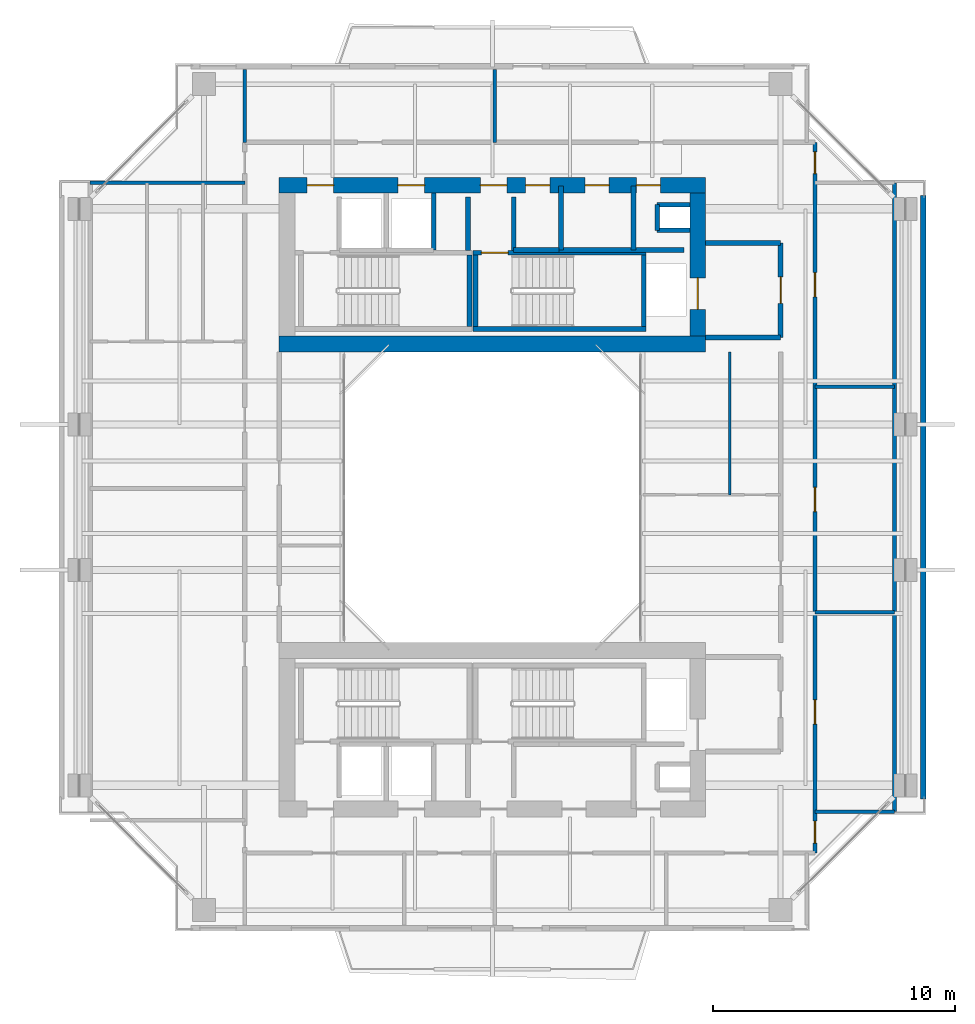
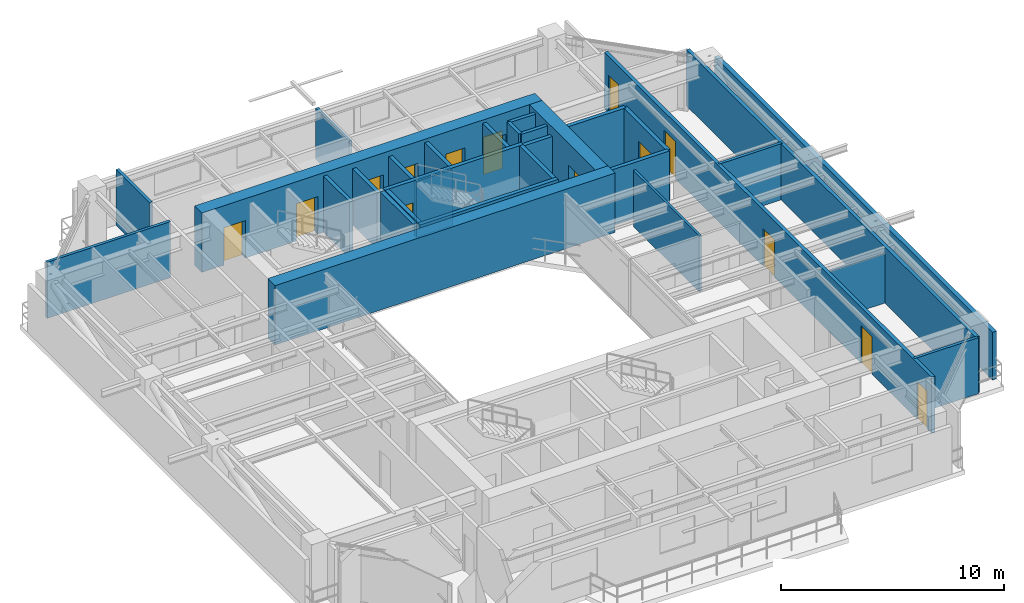
# One storey, part 10 of 14: 31 walls, 14 doors, 14 openings.
"""IFC4 building model written with IfcOpenShell, lengths in metres."""

from ifc_helpers import new_model, si_unit, direction, frame, frame_2d, origin, place, context, subcontext, project, spatial, rectangle, extrude, source, transform, mapped, material, layer, layer_set, type_object, element, fill, save


model = new_model("IFC4")

# Units and contexts
model_context = context("Model", 3, precision=1e-05, world=origin(), true_north=direction((0.0, 1.0)))
body_context = subcontext(model_context, "Body", "Model", "MODEL_VIEW")
ifc_project = project(units=[si_unit("LENGTHUNIT", "METRE"), si_unit("AREAUNIT", "SQUARE_METRE"), si_unit("VOLUMEUNIT", "CUBIC_METRE"), si_unit("PLANEANGLEUNIT", "RADIAN"), si_unit("MASSUNIT", "GRAM", prefix="KILO"), si_unit("THERMODYNAMICTEMPERATUREUNIT", "KELVIN"), si_unit("POWERUNIT", "WATT")], contexts=[model_context])

# Site, building, storey
site_placement = place(None, origin())
site = spatial("IfcSite", under=ifc_project, at=site_placement, CompositionType="ELEMENT")
building_placement = place(site_placement, origin())
building = spatial("IfcBuilding", under=site, at=building_placement, Name="Qiaomeng Ring Towers", CompositionType="ELEMENT")
storey_placement = place(building_placement, frame((0.0, 0.0, 176.25)))
storey = spatial("IfcBuildingStorey", under=building, at=storey_placement, Name="L51", CompositionType="ELEMENT", Elevation=176.25)

# Walls
ifc_material_1 = material(Name="Precast concrete C40", Category="concrete")
ifc_layer_1 = layer(ifc_material_1, 0.219970703125, Name="Precast concrete C40")
ifc_layer_set_1 = layer_set([ifc_layer_1], Name="Precast concrete C40")
wall_type_1 = type_object("IfcWallType", Name="ARC-WL-EW2", PredefinedType="STANDARD", material=ifc_layer_set_1)
wall_1_placement = place(storey_placement, frame((36.7900390625, 10.550048828125, 0.0), z_axis=(0.0, 0.0, 1.0), x_axis=(0.0, 1.0, 0.0)))
element("IfcWall", 1, at=wall_1_placement, inside=storey, type_object=wall_type_1, Name="L51 Tower 1 E Exterior Wall", PredefinedType="STANDARD", context=body_context, shape_type="SweptSolid", body=[
    extrude(rectangle(XDim=24.89990234375, YDim=0.219970703125, at=frame_2d((12.449951171875, 0.0))), origin(), (0.0, 0.0, 1.0), 2.610107421875),
])
ifc_material_2 = material(Name="Autoclaved aerated concrete block", Category="concrete")
ifc_layer_2 = layer(ifc_material_2, 0.199951171875, Name="Autoclaved aerated concrete block")
ifc_layer_set_2 = layer_set([ifc_layer_2], Name="Autoclaved aerated concrete block")
wall_type_2 = type_object("IfcWallType", Name="ARC-WL-PW1", PredefinedType="PARTITIONING", material=ifc_layer_set_2)
for number, where, z_axis, x_axis, name in (
    (2, (27.800048828125, 29.60009765625, 0.0), (0.0, 0.0, 1.0), (1.0, 0.0, 0.0), "L51 Interior Wall PW1"),
    (3, (27.800048828125, 33.5, 0.0), (0.0, 0.0, 1.0), (1.0, 0.0, 0.0), "L51 Interior Wall PW1"),
):
    element("IfcWall", number, at=place(storey_placement, frame(where, z_axis=z_axis, x_axis=x_axis)), inside=storey, type_object=wall_type_2, Name=name, PredefinedType="PARTITIONING", context=body_context, shape_type="SweptSolid", body=[
        extrude(rectangle(XDim=3.099853515625, YDim=0.199951171875, at=frame_2d((1.5498046875, 0.0))), origin(), (0.0, 0.0, 1.0), 3.070068359375),
    ])

# Wall, opening, door
wall_2_placement = place(storey_placement, frame((30.89990234375, 29.60009765625, 0.0), z_axis=(0.0, 0.0, 1.0), x_axis=(0.0, 1.0, 0.0)))
wall_2 = element("IfcWall", 4, at=wall_2_placement, inside=storey, type_object=wall_type_2, Name="L51 Interior Wall PW1", PredefinedType="PARTITIONING", context=body_context, shape_type="SweptSolid", body=[
    extrude(rectangle(XDim=3.89990234375, YDim=0.199951171875, at=frame_2d((1.949951171875, 0.0))), origin(), (0.0, 0.0, 1.0), 3.070068359375),
])
opening_1_placement = place(wall_2_placement, frame((1.39990234375, 0.0, 0.0)))
opening_1 = element("IfcOpeningElement", 5, at=opening_1_placement, cuts=wall_2, Name="Opening FD3", PredefinedType="OPENING", context=body_context, shape_type="SweptSolid", body=[
    extrude(rectangle(XDim=1.10009765625, YDim=2.050048828125, at=frame_2d((0.550048828125, 1.02490234375))), frame((0.0, 0.10986328125, 0.0), z_axis=(0.0, -1.0, 0.0), x_axis=(1.0, 0.0, 0.0)), (0.0, 0.0, 1.0), 0.219970703125),
])
ifc_material_3 = material(Name="Galvanised steel", Category="steel")
door_type_1 = type_object("IfcDoorType", Name="ARC-DR-FD3", OperationType="NOTDEFINED", PredefinedType="DOOR", material=ifc_material_3)
shared_shape_1 = source(origin(), body_context, "Body", "SweptSolid", [
    extrude(rectangle(XDim=1.10009765625, YDim=2.050048828125, at=frame_2d((0.550048828125, 1.02490234375))), frame((0.0, 0.02490234375, 0.0), z_axis=(0.0, -1.0, 0.0), x_axis=(1.0, 0.0, 0.0)), (0.0, 0.0, 1.0), 0.050048828125),
])
door_1_placement = place(opening_1_placement, origin())
door_1 = element("IfcDoor", 6, at=door_1_placement, inside=storey, type_object=door_type_1, Name="L51 North FF Lobby Door", OperationType="SINGLE_SWING_LEFT", OverallHeight=2.050048828125, OverallWidth=1.10009765625, PredefinedType="DOOR", context=body_context, shape_type="MappedRepresentation", body=[
    mapped(shared_shape_1, transform((0.0, 0.0, 0.0), x_axis=(1.0, 0.0, 0.0), y_axis=(0.0, 1.0, 0.0), z_axis=(0.0, 0.0, 1.0), scale=1.0)),
])
fill(opening_1, door_1)

# Walls
for number, where, z_axis, x_axis, name in (
    (7, (18.0, 33.18994140625, 0.0), (0.0, 0.0, 1.0), (0.0, 1.0, 0.0), "L51 Interior Wall PW1"),
    (8, (19.8798828125, 33.18994140625, 0.0), (0.0, 0.0, 1.0), (0.0, 1.0, 0.0), "L51 Interior Wall PW1"),
):
    element("IfcWall", number, at=place(storey_placement, frame(where, z_axis=z_axis, x_axis=x_axis)), inside=storey, type_object=wall_type_2, Name=name, PredefinedType="PARTITIONING", context=body_context, shape_type="SweptSolid", body=[
        extrude(rectangle(XDim=2.2099609375, YDim=0.199951171875, at=frame_2d((1.10498046875, 0.0))), origin(), (0.0, 0.0, 1.0), 3.070068359375),
    ])
wall_3_placement = place(storey_placement, frame((24.820068359375, 33.199951171875, 0.0), z_axis=(0.0, 0.0, 1.0), x_axis=(0.0, 1.0, 0.0)))
element("IfcWall", 9, at=wall_3_placement, inside=storey, type_object=wall_type_2, Name="L51 Interior Wall PW1", PredefinedType="PARTITIONING", context=body_context, shape_type="SweptSolid", body=[
    extrude(rectangle(XDim=2.650146484375, YDim=0.199951171875, at=frame_2d((1.3251953125, 0.0))), origin(), (0.0, 0.0, 1.0), 3.070068359375),
])
wall_4_placement = place(storey_placement, frame((19.8798828125, 33.199951171875, 0.0), z_axis=(0.0, 0.0, 1.0), x_axis=(1.0, 0.0, 0.0)))
element("IfcWall", 10, at=wall_4_placement, inside=storey, type_object=wall_type_2, Name="L51 Interior Wall PW1", PredefinedType="PARTITIONING", context=body_context, shape_type="SweptSolid", body=[
    extrude(rectangle(XDim=1.8701171875, YDim=0.199951171875, at=frame_2d((0.93505859375, 0.0))), origin(), (0.0, 0.0, 1.0), 3.070068359375),
])
wall_5_placement = place(storey_placement, frame((21.830078125, 33.199951171875, 0.0), z_axis=(0.0, 0.0, 1.0), x_axis=(0.0, 1.0, 0.0)))
element("IfcWall", 11, at=wall_5_placement, inside=storey, type_object=wall_type_2, Name="L51 Interior Wall PW1", PredefinedType="PARTITIONING", context=body_context, shape_type="SweptSolid", body=[
    extrude(rectangle(XDim=2.650146484375, YDim=0.199951171875, at=frame_2d((1.3251953125, 0.0))), origin(), (0.0, 0.0, 1.0), 3.070068359375),
])
wall_6_placement = place(storey_placement, frame((21.75, 33.199951171875, 0.0), z_axis=(0.0, 0.0, 1.0), x_axis=(1.0, 0.0, 0.0)))
element("IfcWall", 12, at=wall_6_placement, inside=storey, type_object=wall_type_2, Name="L51 Interior Wall PW1", PredefinedType="PARTITIONING", context=body_context, shape_type="SweptSolid", body=[
    extrude(rectangle(XDim=5.169921875, YDim=0.199951171875, at=frame_2d((2.5849609375, 0.0))), origin(), (0.0, 0.0, 1.0), 3.070068359375),
])
ifc_layer_3 = layer(ifc_material_2, 0.179931640625, Name="Autoclaved aerated concrete block")
ifc_layer_set_3 = layer_set([ifc_layer_3], Name="Autoclaved aerated concrete block")
wall_type_3 = type_object("IfcWallType", Name="ARC-WL-PW2", PredefinedType="PARTITIONING", material=ifc_layer_set_3)
wall_7_placement = place(storey_placement, frame((35.60009765625, 10.02001953125, 0.0), z_axis=(0.0, 0.0, 1.0), x_axis=(0.0, 1.0, 0.0)))
element("IfcWall", 13, at=wall_7_placement, inside=storey, type_object=wall_type_3, Name="L51 Interior Wall PW2", PredefinedType="PARTITIONING", context=body_context, shape_type="SweptSolid", body=[
    extrude(rectangle(XDim=25.9599609375, YDim=0.179931640625, at=frame_2d((12.97998046875, 0.0))), origin(), (0.0, 0.0, 1.0), 3.070068359375),
])

# Wall, openings, doors
wall_8_placement = place(storey_placement, frame((32.320068359375, 8.31005859375, 0.0), z_axis=(0.0, 0.0, 1.0), x_axis=(0.0, 1.0, 0.0)))
wall_8 = element("IfcWall", 14, at=wall_8_placement, inside=storey, type_object=wall_type_3, Name="L51 Interior Wall PW2", PredefinedType="PARTITIONING", context=body_context, shape_type="SweptSolid", body=[
    extrude(rectangle(XDim=29.33984375, YDim=0.179931640625, at=frame_2d((14.669921875, 0.0))), origin(), (0.0, 0.0, 1.0), 3.070068359375),
])
opening_2_placement = place(wall_8_placement, frame((28.044921875, 0.0, 0.0)))
opening_2 = element("IfcOpeningElement", 15, at=opening_2_placement, cuts=wall_8, Name="Opening ID1", PredefinedType="OPENING", context=body_context, shape_type="SweptSolid", body=[
    extrude(rectangle(XDim=0.89990234375, YDim=2.050048828125, at=frame_2d((0.449951171875, 1.02490234375))), frame((0.0, 0.099853515625, 0.0), z_axis=(0.0, -1.0, 0.0), x_axis=(1.0, 0.0, 0.0)), (0.0, 0.0, 1.0), 0.199951171875),
])
opening_3_placement = place(wall_8_placement, frame((0.4150390625, 0.0, 0.0)))
opening_3 = element("IfcOpeningElement", 16, at=opening_3_placement, cuts=wall_8, Name="Opening ID1", PredefinedType="OPENING", context=body_context, shape_type="SweptSolid", body=[
    extrude(rectangle(XDim=0.89990234375, YDim=2.050048828125, at=frame_2d((0.449951171875, 1.02490234375))), frame((0.0, 0.099853515625, 0.0), z_axis=(0.0, -1.0, 0.0), x_axis=(1.0, 0.0, 0.0)), (0.0, 0.0, 1.0), 0.199951171875),
])
opening_4_placement = place(wall_8_placement, frame((5.324951171875, 0.0, 0.0)))
opening_4 = element("IfcOpeningElement", 17, at=opening_4_placement, cuts=wall_8, Name="Opening FD4", PredefinedType="OPENING", context=body_context, shape_type="SweptSolid", body=[
    extrude(rectangle(XDim=1.0, YDim=2.050048828125, at=frame_2d((0.5, 1.02490234375))), frame((0.0, 0.099853515625, 0.0), z_axis=(0.0, -1.0, 0.0), x_axis=(1.0, 0.0, 0.0)), (0.0, 0.0, 1.0), 0.199951171875),
])
opening_5_placement = place(wall_8_placement, frame((14.094970703125, 0.0, 0.0)))
opening_5 = element("IfcOpeningElement", 18, at=opening_5_placement, cuts=wall_8, Name="Opening FD4", PredefinedType="OPENING", context=body_context, shape_type="SweptSolid", body=[
    extrude(rectangle(XDim=1.0, YDim=2.050048828125, at=frame_2d((0.5, 1.02490234375))), frame((0.0, 0.099853515625, 0.0), z_axis=(0.0, -1.0, 0.0), x_axis=(1.0, 0.0, 0.0)), (0.0, 0.0, 1.0), 0.199951171875),
])
opening_6_placement = place(wall_8_placement, frame((22.9599609375, 0.0, 0.0)))
opening_6 = element("IfcOpeningElement", 19, at=opening_6_placement, cuts=wall_8, Name="Opening FD4", PredefinedType="OPENING", context=body_context, shape_type="SweptSolid", body=[
    extrude(rectangle(XDim=1.0, YDim=2.050048828125, at=frame_2d((0.5, 1.02490234375))), frame((0.0, 0.099853515625, 0.0), z_axis=(0.0, -1.0, 0.0), x_axis=(1.0, 0.0, 0.0)), (0.0, 0.0, 1.0), 0.199951171875),
])
ifc_material_4 = material(Name="Engineered fire-rated oak timber", Category="wood")
door_type_2 = type_object("IfcDoorType", Name="ARC-DR-FD4", OperationType="NOTDEFINED", PredefinedType="DOOR", material=ifc_material_4)
shared_shape_2 = source(origin(), body_context, "Body", "SweptSolid", [
    extrude(rectangle(XDim=1.0, YDim=2.050048828125, at=frame_2d((0.5, 1.02490234375))), frame((0.0, 0.02490234375, 0.0), z_axis=(0.0, -1.0, 0.0), x_axis=(1.0, 0.0, 0.0)), (0.0, 0.0, 1.0), 0.050048828125),
])
door_2_placement = place(opening_4_placement, origin())
door_2 = element("IfcDoor", 20, at=door_2_placement, inside=storey, type_object=door_type_2, Name="L51 Door FD4", OperationType="SINGLE_SWING_LEFT", OverallHeight=2.050048828125, OverallWidth=1.0, PredefinedType="DOOR", context=body_context, shape_type="MappedRepresentation", body=[
    mapped(shared_shape_2, transform((0.0, 0.0, 0.0), x_axis=(1.0, 0.0, 0.0), y_axis=(0.0, 1.0, 0.0), z_axis=(0.0, 0.0, 1.0), scale=1.0)),
])
fill(opening_4, door_2)
door_3_placement = place(opening_5_placement, origin())
door_3 = element("IfcDoor", 21, at=door_3_placement, inside=storey, type_object=door_type_2, Name="L51 Door FD4", OperationType="SINGLE_SWING_RIGHT", OverallHeight=2.050048828125, OverallWidth=1.0, PredefinedType="DOOR", context=body_context, shape_type="MappedRepresentation", body=[
    mapped(shared_shape_2, transform((0.0, 0.0, 0.0), x_axis=(1.0, 0.0, 0.0), y_axis=(0.0, 1.0, 0.0), z_axis=(0.0, 0.0, 1.0), scale=1.0)),
])
fill(opening_5, door_3)
door_4_placement = place(opening_6_placement, origin())
door_4 = element("IfcDoor", 22, at=door_4_placement, inside=storey, type_object=door_type_2, Name="L51 Door FD4", OperationType="SINGLE_SWING_LEFT", OverallHeight=2.050048828125, OverallWidth=1.0, PredefinedType="DOOR", context=body_context, shape_type="MappedRepresentation", body=[
    mapped(shared_shape_2, transform((0.0, 0.0, 0.0), x_axis=(1.0, 0.0, 0.0), y_axis=(0.0, 1.0, 0.0), z_axis=(0.0, 0.0, 1.0), scale=1.0)),
])
fill(opening_6, door_4)
ifc_material_5 = material(Name="Engineered oak timber", Category="wood")
door_type_3 = type_object("IfcDoorType", Name="ARC-DR-ID1", OperationType="NOTDEFINED", PredefinedType="DOOR", material=ifc_material_5)
shared_shape_3 = source(origin(), body_context, "Body", "SweptSolid", [
    extrude(rectangle(XDim=0.89990234375, YDim=2.050048828125, at=frame_2d((0.449951171875, 1.02490234375))), frame((0.0, 0.02490234375, 0.0), z_axis=(0.0, -1.0, 0.0), x_axis=(1.0, 0.0, 0.0)), (0.0, 0.0, 1.0), 0.050048828125),
])
door_5_placement = place(opening_2_placement, origin())
door_5 = element("IfcDoor", 23, at=door_5_placement, inside=storey, type_object=door_type_3, Name="L51 Door ID1", OperationType="SINGLE_SWING_LEFT", OverallHeight=2.050048828125, OverallWidth=0.89990234375, PredefinedType="DOOR", context=body_context, shape_type="MappedRepresentation", body=[
    mapped(shared_shape_3, transform((0.0, 0.0, 0.0), x_axis=(1.0, 0.0, 0.0), y_axis=(0.0, 1.0, 0.0), z_axis=(0.0, 0.0, 1.0), scale=1.0)),
])
fill(opening_2, door_5)
door_6_placement = place(opening_3_placement, origin())
door_6 = element("IfcDoor", 24, at=door_6_placement, inside=storey, type_object=door_type_3, Name="L51 Door ID1", OperationType="SINGLE_SWING_RIGHT", OverallHeight=2.050048828125, OverallWidth=0.89990234375, PredefinedType="DOOR", context=body_context, shape_type="MappedRepresentation", body=[
    mapped(shared_shape_3, transform((0.0, 0.0, 0.0), x_axis=(1.0, 0.0, 0.0), y_axis=(0.0, 1.0, 0.0), z_axis=(0.0, 0.0, 1.0), scale=1.0)),
])
fill(opening_3, door_6)

# Walls
ifc_material_6 = material(Name="Gypsum fireboard steel-stud partition", Category="steel")
ifc_layer_4 = layer(ifc_material_6, 0.14990234375, Name="Gypsum fireboard steel-stud partition")
ifc_layer_set_4 = layer_set([ifc_layer_4], Name="Gypsum fireboard steel-stud partition")
wall_type_4 = type_object("IfcWallType", Name="ARC-WL-PW3", PredefinedType="PARTITIONING", material=ifc_layer_set_4)
wall_9_placement = place(storey_placement, frame((19.10009765625, 37.64990234375, 0.0), z_axis=(0.0, 0.0, 1.0), x_axis=(0.0, 1.0, 0.0)))
element("IfcWall", 25, at=wall_9_placement, inside=storey, type_object=wall_type_4, Name="L51 Interior Wall PW3", PredefinedType="PARTITIONING", context=body_context, shape_type="SweptSolid", body=[
    extrude(rectangle(XDim=3.0, YDim=0.14990234375, at=frame_2d((1.5, 0.0))), origin(), (0.0, 0.0, 1.0), 2.81494140625),
])
wall_10_placement = place(storey_placement, frame((8.780029296875, 37.64990234375, 0.0), z_axis=(0.0, 0.0, 1.0), x_axis=(0.0, 1.0, 0.0)))
element("IfcWall", 26, at=wall_10_placement, inside=storey, type_object=wall_type_4, Name="L51 Interior Wall PW3", PredefinedType="PARTITIONING", context=body_context, shape_type="SweptSolid", body=[
    extrude(rectangle(XDim=3.0, YDim=0.14990234375, at=frame_2d((1.5, 0.0))), origin(), (0.0, 0.0, 1.0), 3.070068359375),
])
wall_11_placement = place(storey_placement, frame((2.39990234375, 35.97998046875, 0.0), z_axis=(0.0, 0.0, 1.0), x_axis=(1.0, 0.0, 0.0)))
element("IfcWall", 27, at=wall_11_placement, inside=storey, type_object=wall_type_4, Name="L51 Interior Wall PW3", PredefinedType="PARTITIONING", context=body_context, shape_type="SweptSolid", body=[
    extrude(rectangle(XDim=6.380126953125, YDim=0.14990234375, at=frame_2d((3.18994140625, 0.0))), origin(), (0.0, 0.0, 1.0), 3.070068359375),
])
wall_12_placement = place(storey_placement, frame((32.320068359375, 10.02001953125, 0.0), z_axis=(0.0, 0.0, 1.0), x_axis=(1.0, 0.0, 0.0)))
element("IfcWall", 28, at=wall_12_placement, inside=storey, type_object=wall_type_4, Name="L51 Interior Wall PW3", PredefinedType="PARTITIONING", context=body_context, shape_type="SweptSolid", body=[
    extrude(rectangle(XDim=3.280029296875, YDim=0.14990234375, at=frame_2d((1.64013671875, 0.0))), origin(), (0.0, 0.0, 1.0), 3.070068359375),
])
wall_13_placement = place(storey_placement, frame((32.320068359375, 18.25, 0.0), z_axis=(0.0, 0.0, 1.0), x_axis=(1.0, 0.0, 0.0)))
element("IfcWall", 29, at=wall_13_placement, inside=storey, type_object=wall_type_4, Name="L51 Interior Wall PW3", PredefinedType="PARTITIONING", context=body_context, shape_type="SweptSolid", body=[
    extrude(rectangle(XDim=3.280029296875, YDim=0.14990234375, at=frame_2d((1.64013671875, 0.0))), origin(), (0.0, 0.0, 1.0), 2.715087890625),
])
wall_14_placement = place(storey_placement, frame((32.320068359375, 27.56005859375, 0.0), z_axis=(0.0, 0.0, 1.0), x_axis=(1.0, 0.0, 0.0)))
element("IfcWall", 30, at=wall_14_placement, inside=storey, type_object=wall_type_4, Name="L51 Interior Wall PW3", PredefinedType="PARTITIONING", context=body_context, shape_type="SweptSolid", body=[
    extrude(rectangle(XDim=3.280029296875, YDim=0.14990234375, at=frame_2d((1.64013671875, 0.0))), origin(), (0.0, 0.0, 1.0), 3.070068359375),
])
ifc_material_7 = material(Name="Moisture-resistant gypsum steel-stud partition", Category="steel")
ifc_layer_5 = layer(ifc_material_7, 0.1201171875, Name="Moisture-resistant gypsum steel-stud partition")
ifc_layer_set_5 = layer_set([ifc_layer_5], Name="Moisture-resistant gypsum steel-stud partition")
wall_type_5 = type_object("IfcWallType", Name="ARC-WL-PW4", PredefinedType="PLUMBINGWALL", material=ifc_layer_set_5)
wall_15_placement = place(storey_placement, frame((28.800048828125, 23.10009765625, 0.0), z_axis=(0.0, 0.0, 1.0), x_axis=(0.0, 1.0, 0.0)))
element("IfcWall", 31, at=wall_15_placement, inside=storey, type_object=wall_type_5, Name="L51 Interior Wall PW4", PredefinedType="PLUMBINGWALL", context=body_context, shape_type="SweptSolid", body=[
    extrude(rectangle(XDim=5.89990234375, YDim=0.1201171875, at=frame_2d((2.949951171875, 0.0))), origin(), (0.0, 0.0, 1.0), 3.070068359375),
])
ifc_material_8 = material(Name="Concrete C40", Category="concrete")
ifc_layer_6 = layer(ifc_material_8, 0.199951171875, Name="Concrete C40")
ifc_layer_set_6 = layer_set([ifc_layer_6], Name="Concrete C40")
wall_type_6 = type_object("IfcWallType", Name="STR-WL-STSHAFT", PredefinedType="SHEAR", material=ifc_layer_set_6)
wall_16_placement = place(storey_placement, frame((25.800048828125, 34.02001953125, 0.0), z_axis=(0.0, 0.0, 1.0), x_axis=(0.0, 1.0, 0.0)))
element("IfcWall", 32, at=wall_16_placement, inside=storey, type_object=wall_type_6, Name="L51 Riser RSR1 West Shaft Wall N", PredefinedType="SHEAR", context=body_context, shape_type="SweptSolid", body=[
    extrude(rectangle(XDim=1.06005859375, YDim=0.179931640625, at=frame_2d((0.530029296875, 0.0))), origin(), (0.0, 0.0, 1.0), 3.070068359375),
])
for number, where, z_axis, x_axis, name in (
    (33, (25.800048828125, 35.080078125, 0.0), (0.0, 0.0, 1.0), (1.0, 0.0, 0.0), "L51 Riser RSR1 North Shaft Wall N"),
    (34, (25.800048828125, 34.02001953125, 0.0), (0.0, 0.0, 1.0), (1.0, 0.0, 0.0), "L51 Riser RSR1 South Shaft Wall N"),
):
    element("IfcWall", number, at=place(storey_placement, frame(where, z_axis=z_axis, x_axis=x_axis)), inside=storey, type_object=wall_type_6, Name=name, PredefinedType="SHEAR", context=body_context, shape_type="SweptSolid", body=[
        extrude(rectangle(XDim=1.349853515625, YDim=0.179931640625, at=frame_2d((0.6748046875, 0.0))), origin(), (0.0, 0.0, 1.0), 3.070068359375),
    ])
wall_17_placement = place(storey_placement, frame((16.580078125, 33.199951171875, 0.0), z_axis=(0.0, 0.0, 1.0), x_axis=(0.0, 1.0, 0.0)))
element("IfcWall", 35, at=wall_17_placement, inside=storey, type_object=wall_type_6, Name="L51 Lift LP3 East Shaft Wall", PredefinedType="SHEAR", context=body_context, shape_type="SweptSolid", body=[
    extrude(rectangle(XDim=2.35009765625, YDim=0.179931640625, at=frame_2d((1.175048828125, 0.0))), origin(), (0.0, 0.0, 1.0), 3.070068359375),
])
wall_18_placement = place(storey_placement, frame((18.050048828125, 30.050048828125, 0.0), z_axis=(0.0, 0.0, 1.0), x_axis=(0.0, 1.0, 0.0)))
element("IfcWall", 36, at=wall_18_placement, inside=storey, type_object=wall_type_6, Name="L51 Stair ST1 East Shaft Shear Wall", PredefinedType="SHEAR", context=body_context, shape_type="SweptSolid", body=[
    extrude(rectangle(XDim=2.93994140625, YDim=0.199951171875, at=frame_2d((1.469970703125, 0.0))), origin(), (0.0, 0.0, 1.0), 3.25),
])
wall_19_placement = place(storey_placement, frame((18.199951171875, 29.949951171875, 0.0), z_axis=(0.0, 0.0, 1.0), x_axis=(1.0, 0.0, 0.0)))
element("IfcWall", 37, at=wall_19_placement, inside=storey, type_object=wall_type_6, Name="L51 Stair ST2 South Shaft Shear Wall", PredefinedType="SHEAR", context=body_context, shape_type="SweptSolid", body=[
    extrude(rectangle(XDim=7.150146484375, YDim=0.199951171875, at=frame_2d((3.5751953125, 0.0))), origin(), (0.0, 0.0, 1.0), 3.25),
])

# Wall, opening, door
wall_20_placement = place(storey_placement, frame((18.199951171875, 33.090087890625, 0.0), z_axis=(0.0, 0.0, 1.0), x_axis=(1.0, 0.0, 0.0)))
wall_20 = element("IfcWall", 38, at=wall_20_placement, inside=storey, type_object=wall_type_6, Name="L51 Stair ST2 North Shaft Shear Wall", PredefinedType="SHEAR", context=body_context, shape_type="SweptSolid", body=[
    extrude(rectangle(XDim=7.150146484375, YDim=0.199951171875, at=frame_2d((3.5751953125, 0.0))), origin(), (0.0, 0.0, 1.0), 3.25),
])
opening_7_placement = place(wall_20_placement, frame((0.35009765625, 0.0, 0.0)))
opening_7 = element("IfcOpeningElement", 39, at=opening_7_placement, cuts=wall_20, Name="Opening FD3", PredefinedType="OPENING", context=body_context, shape_type="SweptSolid", body=[
    extrude(rectangle(XDim=1.10009765625, YDim=2.050048828125, at=frame_2d((0.550048828125, 1.02490234375))), frame((0.0, 0.10986328125, 0.0), z_axis=(0.0, -1.0, 0.0), x_axis=(1.0, 0.0, 0.0)), (0.0, 0.0, 1.0), 0.219970703125),
])
door_7_placement = place(opening_7_placement, origin())
door_7 = element("IfcDoor", 40, at=door_7_placement, inside=storey, type_object=door_type_1, Name="L51 Stair ST2 Exit Door", OperationType="SINGLE_SWING_RIGHT", OverallHeight=2.050048828125, OverallWidth=1.10009765625, PredefinedType="DOOR", context=body_context, shape_type="MappedRepresentation", body=[
    mapped(shared_shape_1, transform((0.0, 0.0, 0.0), x_axis=(1.0, 0.0, 0.0), y_axis=(0.0, 1.0, 0.0), z_axis=(0.0, 0.0, 1.0), scale=1.0)),
])
fill(opening_7, door_7)

# Walls
for number, where, z_axis, x_axis, name in (
    (41, (18.300048828125, 30.050048828125, 0.0), (0.0, 0.0, 1.0), (0.0, 1.0, 0.0), "L51 Stair ST2 West Shaft Shear Wall"),
    (42, (25.25, 30.050048828125, 0.0), (0.0, 0.0, 1.0), (0.0, 1.0, 0.0), "L51 Stair ST2 East Shaft Shear Wall"),
):
    element("IfcWall", number, at=place(storey_placement, frame(where, z_axis=z_axis, x_axis=x_axis)), inside=storey, type_object=wall_type_6, Name=name, PredefinedType="SHEAR", context=body_context, shape_type="SweptSolid", body=[
        extrude(rectangle(XDim=2.93994140625, YDim=0.199951171875, at=frame_2d((1.469970703125, 0.0))), origin(), (0.0, 0.0, 1.0), 3.25),
    ])
ifc_material_9 = material(Name="Concrete C50", Category="concrete")
ifc_layer_7 = layer(ifc_material_9, 0.64990234375, Name="Concrete C50")
ifc_layer_set_7 = layer_set([ifc_layer_7], Name="Concrete C50")
wall_type_7 = type_object("IfcWallType", Name="STR-WL-SW2B", PredefinedType="SHEAR", material=ifc_layer_set_7)
wall_21_placement = place(storey_placement, frame((10.199951171875, 29.324951171875, 0.0), z_axis=(0.0, 0.0, 1.0), x_axis=(1.0, 0.0, 0.0)))
element("IfcWall", 43, at=wall_21_placement, inside=storey, type_object=wall_type_7, Name="L51 T1NC south core shear wall", PredefinedType="SHEAR", context=body_context, shape_type="SweptSolid", body=[
    extrude(rectangle(XDim=17.60009765625, YDim=0.64990234375, at=frame_2d((8.800048828125, 0.0))), origin(), (0.0, 0.0, 1.0), 3.25),
])

# Wall, openings, doors
wall_22_placement = place(storey_placement, frame((10.199951171875, 35.875, 0.0), z_axis=(0.0, 0.0, 1.0), x_axis=(1.0, 0.0, 0.0)))
wall_22 = element("IfcWall", 44, at=wall_22_placement, inside=storey, type_object=wall_type_7, Name="L51 T1NC north core shear wall", PredefinedType="SHEAR", context=body_context, shape_type="SweptSolid", body=[
    extrude(rectangle(XDim=17.60009765625, YDim=0.64990234375, at=frame_2d((8.800048828125, 0.0))), origin(), (0.0, 0.0, 1.0), 3.25),
])
opening_8_placement = place(wall_22_placement, frame((1.14990234375, 0.0, 0.0)))
opening_8 = element("IfcOpeningElement", 45, at=opening_8_placement, cuts=wall_22, Name="Opening FD3", PredefinedType="OPENING", context=body_context, shape_type="SweptSolid", body=[
    extrude(rectangle(XDim=1.10009765625, YDim=2.050048828125, at=frame_2d((0.550048828125, 1.02490234375))), frame((0.0, 0.3349609375, 0.0), z_axis=(0.0, -1.0, 0.0), x_axis=(1.0, 0.0, 0.0)), (0.0, 0.0, 1.0), 0.669921875),
])
opening_9_placement = place(wall_22_placement, frame((8.300048828125, 0.0, 0.0)))
opening_9 = element("IfcOpeningElement", 46, at=opening_9_placement, cuts=wall_22, Name="Opening FD3", PredefinedType="OPENING", context=body_context, shape_type="SweptSolid", body=[
    extrude(rectangle(XDim=1.10009765625, YDim=2.050048828125, at=frame_2d((0.550048828125, 1.02490234375))), frame((0.0, 0.3349609375, 0.0), z_axis=(0.0, -1.0, 0.0), x_axis=(1.0, 0.0, 0.0)), (0.0, 0.0, 1.0), 0.669921875),
])
opening_10_placement = place(wall_22_placement, frame((4.89990234375, 0.0, 0.0)))
opening_10 = element("IfcOpeningElement", 47, at=opening_10_placement, cuts=wall_22, Name="Opening LD1", PredefinedType="OPENING", context=body_context, shape_type="SweptSolid", body=[
    extrude(rectangle(XDim=1.10009765625, YDim=2.050048828125, at=frame_2d((0.550048828125, 1.02490234375))), frame((0.0, 0.3349609375, 0.0), z_axis=(0.0, -1.0, 0.0), x_axis=(1.0, 0.0, 0.0)), (0.0, 0.0, 1.0), 0.669921875),
])
opening_11_placement = place(wall_22_placement, frame((14.739990234375, 0.0, 0.0)))
opening_11 = element("IfcOpeningElement", 48, at=opening_11_placement, cuts=wall_22, Name="Opening FD1", PredefinedType="OPENING", context=body_context, shape_type="SweptSolid", body=[
    extrude(rectangle(XDim=1.0, YDim=2.050048828125, at=frame_2d((0.5, 1.02490234375))), frame((0.0, 0.3349609375, 0.0), z_axis=(0.0, -1.0, 0.0), x_axis=(1.0, 0.0, 0.0)), (0.0, 0.0, 1.0), 0.669921875),
])
opening_12_placement = place(wall_22_placement, frame((10.175048828125, 0.0, 0.0)))
opening_12 = element("IfcOpeningElement", 49, at=opening_12_placement, cuts=wall_22, Name="Opening FD1", PredefinedType="OPENING", context=body_context, shape_type="SweptSolid", body=[
    extrude(rectangle(XDim=1.0, YDim=2.050048828125, at=frame_2d((0.5, 1.02490234375))), frame((0.0, 0.3349609375, 0.0), z_axis=(0.0, -1.0, 0.0), x_axis=(1.0, 0.0, 0.0)), (0.0, 0.0, 1.0), 0.669921875),
])
opening_13_placement = place(wall_22_placement, frame((12.625, 0.0, 0.0)))
opening_13 = element("IfcOpeningElement", 50, at=opening_13_placement, cuts=wall_22, Name="Opening FD1", PredefinedType="OPENING", context=body_context, shape_type="SweptSolid", body=[
    extrude(rectangle(XDim=1.0, YDim=2.050048828125, at=frame_2d((0.5, 1.02490234375))), frame((0.0, 0.3349609375, 0.0), z_axis=(0.0, -1.0, 0.0), x_axis=(1.0, 0.0, 0.0)), (0.0, 0.0, 1.0), 0.669921875),
])
door_8_placement = place(opening_8_placement, origin())
door_8 = element("IfcDoor", 51, at=door_8_placement, inside=storey, type_object=door_type_1, Name="L51 Stair ST1 Lobby Door", OperationType="SINGLE_SWING_LEFT", OverallHeight=2.050048828125, OverallWidth=1.10009765625, PredefinedType="DOOR", context=body_context, shape_type="MappedRepresentation", body=[
    mapped(shared_shape_1, transform((0.0, 0.0, 0.0), x_axis=(1.0, 0.0, 0.0), y_axis=(0.0, 1.0, 0.0), z_axis=(0.0, 0.0, 1.0), scale=1.0)),
])
fill(opening_8, door_8)
door_9_placement = place(opening_9_placement, origin())
door_9 = element("IfcDoor", 52, at=door_9_placement, inside=storey, type_object=door_type_1, Name="L51 Stair ST2 Lobby Door", OperationType="SINGLE_SWING_LEFT", OverallHeight=2.050048828125, OverallWidth=1.10009765625, PredefinedType="DOOR", context=body_context, shape_type="MappedRepresentation", body=[
    mapped(shared_shape_1, transform((0.0, 0.0, 0.0), x_axis=(1.0, 0.0, 0.0), y_axis=(0.0, 1.0, 0.0), z_axis=(0.0, 0.0, 1.0), scale=1.0)),
])
fill(opening_9, door_9)
ifc_material_10 = material(Name="Stainless steel 316", Category="steel")
door_type_4 = type_object("IfcDoorType", Name="ARC-DR-LD1", OperationType="NOTDEFINED", PredefinedType="DOOR", material=ifc_material_10)
door_10_placement = place(opening_10_placement, origin())
door_10 = element("IfcDoor", 53, at=door_10_placement, inside=storey, type_object=door_type_4, Name="L51 Mid-Zone Lift LP3 Landing Door", OperationType="SLIDING_TO_LEFT", OverallHeight=2.050048828125, OverallWidth=1.10009765625, PredefinedType="DOOR", context=body_context, shape_type="MappedRepresentation", body=[
    mapped(shared_shape_1, transform((0.0, 0.0, 0.0), x_axis=(1.0, 0.0, 0.0), y_axis=(0.0, 1.0, 0.0), z_axis=(0.0, 0.0, 1.0), scale=1.0)),
])
fill(opening_10, door_10)
door_type_5 = type_object("IfcDoorType", Name="ARC-DR-FD1", OperationType="NOTDEFINED", PredefinedType="DOOR", material=ifc_material_3)
door_11_placement = place(opening_11_placement, origin())
door_11 = element("IfcDoor", 54, at=door_11_placement, inside=storey, type_object=door_type_5, Name="L51 North Electrical Riser Door", OperationType="SINGLE_SWING_LEFT", OverallHeight=2.050048828125, OverallWidth=1.0, PredefinedType="DOOR", context=body_context, shape_type="MappedRepresentation", body=[
    mapped(shared_shape_2, transform((0.0, 0.0, 0.0), x_axis=(1.0, 0.0, 0.0), y_axis=(0.0, 1.0, 0.0), z_axis=(0.0, 0.0, 1.0), scale=1.0)),
])
fill(opening_11, door_11)
door_12_placement = place(opening_12_placement, origin())
door_12 = element("IfcDoor", 55, at=door_12_placement, inside=storey, type_object=door_type_5, Name="L51 North Cleaners Store Door", OperationType="SINGLE_SWING_LEFT", OverallHeight=2.050048828125, OverallWidth=1.0, PredefinedType="DOOR", context=body_context, shape_type="MappedRepresentation", body=[
    mapped(shared_shape_2, transform((0.0, 0.0, 0.0), x_axis=(1.0, 0.0, 0.0), y_axis=(0.0, 1.0, 0.0), z_axis=(0.0, 0.0, 1.0), scale=1.0)),
])
fill(opening_12, door_12)
door_13_placement = place(opening_13_placement, origin())
door_13 = element("IfcDoor", 56, at=door_13_placement, inside=storey, type_object=door_type_5, Name="L51 North Telemetry Office Door", OperationType="SINGLE_SWING_RIGHT", OverallHeight=2.050048828125, OverallWidth=1.0, PredefinedType="DOOR", context=body_context, shape_type="MappedRepresentation", body=[
    mapped(shared_shape_2, transform((0.0, 0.0, 0.0), x_axis=(1.0, 0.0, 0.0), y_axis=(0.0, 1.0, 0.0), z_axis=(0.0, 0.0, 1.0), scale=1.0)),
])
fill(opening_13, door_13)

# Wall, opening, door
wall_23_placement = place(storey_placement, frame((27.47509765625, 29.64990234375, 0.0), z_axis=(0.0, 0.0, 1.0), x_axis=(0.0, 1.0, 0.0)))
wall_23 = element("IfcWall", 57, at=wall_23_placement, inside=storey, type_object=wall_type_7, Name="L51 T1NC east core shear wall", PredefinedType="SHEAR", context=body_context, shape_type="SweptSolid", body=[
    extrude(rectangle(XDim=5.900146484375, YDim=0.64990234375, at=frame_2d((2.9501953125, 0.0))), origin(), (0.0, 0.0, 1.0), 3.25),
])
opening_14_placement = place(wall_23_placement, frame((1.10009765625, 0.0, 0.0)))
opening_14 = element("IfcOpeningElement", 58, at=opening_14_placement, cuts=wall_23, Name="Opening LD2", PredefinedType="OPENING", context=body_context, shape_type="SweptSolid", body=[
    extrude(rectangle(XDim=1.300048828125, YDim=2.050048828125, at=frame_2d((0.64990234375, 1.02490234375))), frame((0.0, 0.3349609375, 0.0), z_axis=(0.0, -1.0, 0.0), x_axis=(1.0, 0.0, 0.0)), (0.0, 0.0, 1.0), 0.669921875),
])
door_type_6 = type_object("IfcDoorType", Name="ARC-DR-LD2", OperationType="NOTDEFINED", PredefinedType="DOOR", material=ifc_material_10)
shared_shape_4 = source(origin(), body_context, "Body", "SweptSolid", [
    extrude(rectangle(XDim=1.300048828125, YDim=2.050048828125, at=frame_2d((0.64990234375, 1.02490234375))), frame((0.0, 0.02490234375, 0.0), z_axis=(0.0, -1.0, 0.0), x_axis=(1.0, 0.0, 0.0)), (0.0, 0.0, 1.0), 0.050048828125),
])
door_14_placement = place(opening_14_placement, origin())
door_14 = element("IfcDoor", 59, at=door_14_placement, inside=storey, type_object=door_type_6, Name="L51 Firefighting Lift FL1 Landing Door", OperationType="SLIDING_TO_LEFT", OverallHeight=2.050048828125, OverallWidth=1.300048828125, PredefinedType="DOOR", context=body_context, shape_type="MappedRepresentation", body=[
    mapped(shared_shape_4, transform((0.0, 0.0, 0.0), x_axis=(1.0, 0.0, 0.0), y_axis=(0.0, 1.0, 0.0), z_axis=(0.0, 0.0, 1.0), scale=1.0)),
])
fill(opening_14, door_14)

save(model, "model.ifc")
